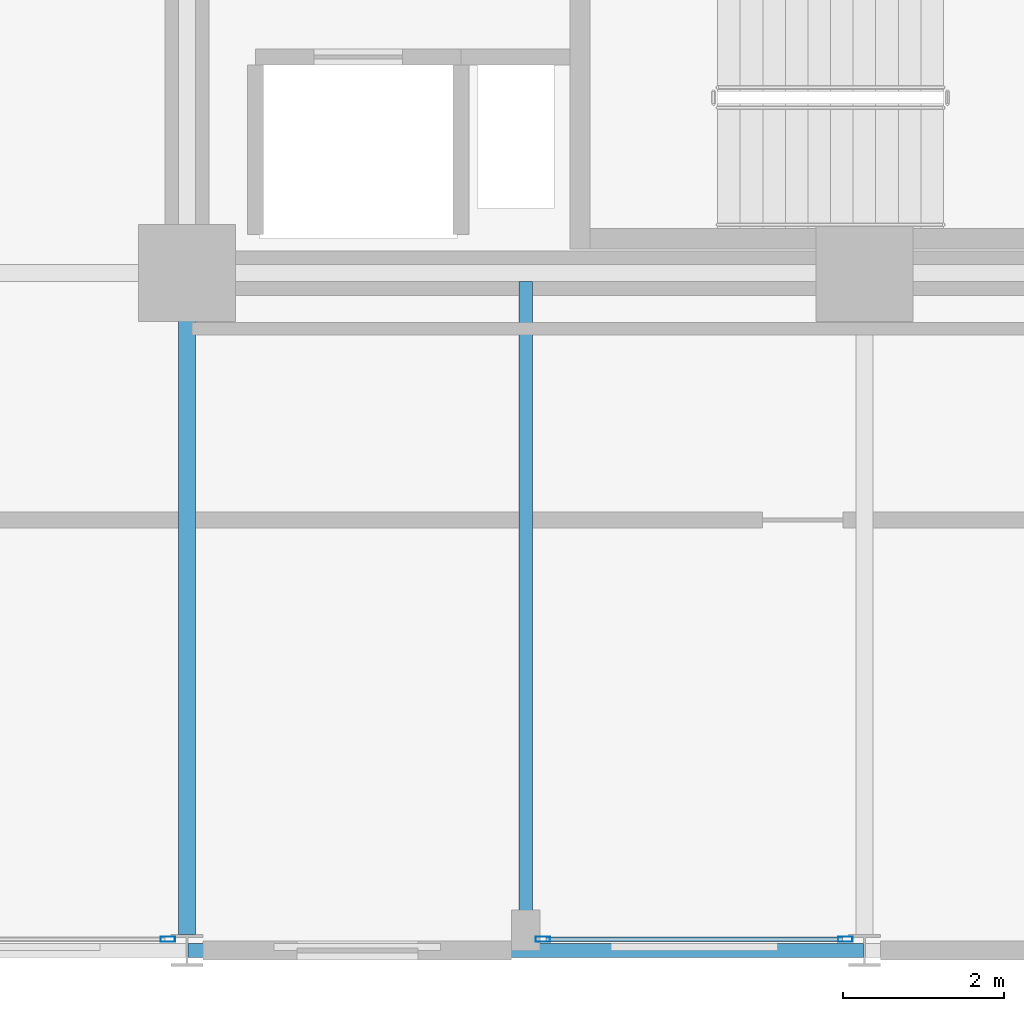
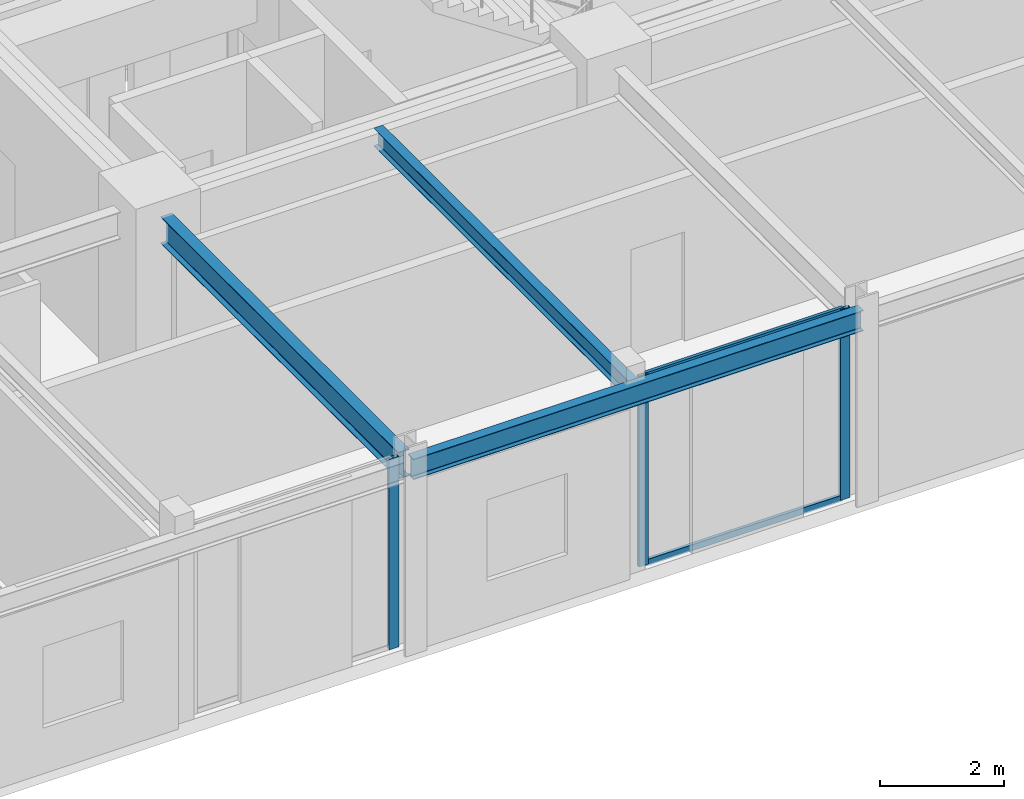
# One storey, part 6 of 29: 5 members, 3 beams, 2 elements without a shape of their own.
"""IFC4 building model written with IfcOpenShell, lengths in metres."""

from ifc_helpers import new_model, si_unit, direction, frame, origin, origin_2d, place, context, subcontext, project, spatial, hollow_rectangle, i_section, extrude, material, layer, layer_set, material_profile, profile_set, type_object, element, aggregate, save


model = new_model("IFC4")

# Units and contexts
model_context = context("Model", 3, precision=1e-05, world=origin(), true_north=direction((0.0, 1.0)))
body_context = subcontext(model_context, "Body", "Model", "MODEL_VIEW")
ifc_project = project(units=[si_unit("LENGTHUNIT", "METRE"), si_unit("AREAUNIT", "SQUARE_METRE"), si_unit("VOLUMEUNIT", "CUBIC_METRE"), si_unit("PLANEANGLEUNIT", "RADIAN"), si_unit("MASSUNIT", "GRAM", prefix="KILO")], contexts=[model_context])

# Site, building, storey
site_placement = place(None, origin())
site = spatial("IfcSite", under=ifc_project, at=site_placement, CompositionType="ELEMENT")
building_placement = place(site_placement, origin())
building = spatial("IfcBuilding", under=site, at=building_placement, Name="Nerrivon Quay Data Exchange", CompositionType="ELEMENT")
storey_placement = place(building_placement, frame((0.0, 0.0, 158.199951171875)))
storey = spatial("IfcBuildingStorey", under=building, at=storey_placement, Name="L37", CompositionType="ELEMENT", Elevation=158.199951171875)

# Beams
ifc_material_1 = material(Name="Steel Grade 350", Category="steel")
ifc_material_profile_1 = material_profile(ifc_material_1, i_section(OverallWidth=0.208984375, OverallDepth=0.528076171875, WebThickness=0.009521484375, FlangeThickness=0.01318359375, FilletRadius=0.013916015625, at=origin_2d()), Name="530UB82.0")
ifc_profile_set_1 = profile_set([ifc_material_profile_1], Name="Steel Grade 350")
beam_type_1 = type_object("IfcBeamType", Name="BM-G4-530UB82", PredefinedType="BEAM", material=ifc_profile_set_1)
beam_1_placement = place(storey_placement, frame((16.800048828125, 0.199951171875, 3.486083984375), z_axis=(0.0, 1.0, 0.0), x_axis=(-1.0, 0.0, 0.0)))
element("IfcBeam", 1, at=beam_1_placement, inside=storey, type_object=beam_type_1, Name="L37 NS Girder X=16.8 (0.0..8.4)", PredefinedType="BEAM", context=body_context, shape_type="SweptSolid", body=[
    extrude(i_section(OverallWidth=0.208984375, OverallDepth=0.528076171875, WebThickness=0.009521484375, FlangeThickness=0.01318359375, FilletRadius=0.013916015625, at=origin_2d()), origin(), (0.0, 0.0, 1.0), 7.66015625),
])
ifc_material_profile_2 = material_profile(ifc_material_1, i_section(OverallWidth=0.1708984375, OverallDepth=0.35595703125, WebThickness=0.00732421875, FlangeThickness=0.011474609375, FilletRadius=0.011474609375, at=origin_2d()), Name="360UB50.7")
ifc_profile_set_2 = profile_set([ifc_material_profile_2], Name="Steel Grade 350")
beam_type_2 = type_object("IfcBeamType", Name="BM-J4-360UB51", PredefinedType="JOIST", material=ifc_profile_set_2)
beam_2_placement = place(storey_placement, frame((21.0, 0.089111328125, 3.572021484375), z_axis=(0.0, 1.0, 0.0), x_axis=(-1.0, 0.0, 0.0)))
element("IfcBeam", 2, at=beam_2_placement, inside=storey, type_object=beam_type_2, Name="L37 Secondary Joist X=21.0 (0.0..8.4)", PredefinedType="JOIST", context=body_context, shape_type="SweptSolid", body=[
    extrude(i_section(OverallWidth=0.1708984375, OverallDepth=0.35595703125, WebThickness=0.00732421875, FlangeThickness=0.011474609375, FilletRadius=0.011474609375, at=origin_2d()), origin(), (0.0, 0.0, 1.0), 8.206298828125),
])
ifc_material_profile_3 = material_profile(ifc_material_1, i_section(OverallWidth=0.177978515625, OverallDepth=0.403076171875, WebThickness=0.007568359375, FlangeThickness=0.010986328125, FilletRadius=0.011474609375, at=origin_2d()), Name="410UB53.7")
ifc_profile_set_3 = profile_set([ifc_material_profile_3], Name="Steel Grade 350")
beam_type_3 = type_object("IfcBeamType", Name="BM-SP2-410UB54", PredefinedType="SPANDREL", material=ifc_profile_set_3)
beam_3_placement = place(storey_placement, frame((16.8125, 0.0, 3.548583984375), z_axis=(1.0, 0.0, 0.0), x_axis=(0.0, 1.0, 0.0)))
element("IfcBeam", 3, at=beam_3_placement, inside=storey, type_object=beam_type_3, Name="L37 EW Girder Y=0.0 (16.8..25.2)", PredefinedType="SPANDREL", context=body_context, shape_type="SweptSolid", body=[
    extrude(i_section(OverallWidth=0.177978515625, OverallDepth=0.403076171875, WebThickness=0.007568359375, FlangeThickness=0.010986328125, FilletRadius=0.011474609375, at=origin_2d()), origin(), (0.0, 0.0, 1.0), 8.375),
])

# Curtain wall, members
ifc_material_2 = material(Name="Anodised aluminium 6063-T6", Category="aluminium")
ifc_layer = layer(ifc_material_2, 0.2099609375)
ifc_layer_set = layer_set([ifc_layer], Name="Anodised aluminium 6063-T6")
curtain_wall_type = type_object("IfcCurtainWallType", Name="CW-SYS-02", PredefinedType="NOTDEFINED", material=ifc_layer_set)
curtain_wall_1_placement = place(storey_placement, origin())
curtain_wall_1 = element("IfcCurtainWall", 4, at=curtain_wall_1_placement, inside=storey, type_object=curtain_wall_type, Name="L37 Unitised Curtain Wall 4", PredefinedType="NOTDEFINED")
ifc_material_profile_4 = material_profile(ifc_material_2, hollow_rectangle(XDim=0.06494140625, YDim=0.179931640625, WallThickness=0.00341796875, at=origin_2d()), Name="ALU-MULL-180x65")
ifc_profile_set_4 = profile_set([ifc_material_profile_4], Name="Anodised aluminium 6063-T6")
member_type_1 = type_object("IfcMemberType", Name="CWM-180x65", PredefinedType="MULLION", material=ifc_profile_set_4)
member_1_placement = place(storey_placement, frame((24.96240234375, 0.139892578125, 0.0), z_axis=(0.0, 0.0, 1.0), x_axis=(0.0, -1.0, 0.0)))
member_1 = element("IfcMember", 5, at=member_1_placement, type_object=member_type_1, Name="CW02 mullion 1", PredefinedType="MULLION", context=body_context, shape_type="SweptSolid", body=[
    extrude(hollow_rectangle(XDim=0.06494140625, YDim=0.179931640625, WallThickness=0.00341796875, at=origin_2d()), origin(), (0.0, 0.0, 1.0), 3.75),
])
member_2_placement = place(storey_placement, frame((21.21240234375, 0.139892578125, 0.0), z_axis=(0.0, 0.0, 1.0), x_axis=(0.0, -1.0, 0.0)))
member_2 = element("IfcMember", 6, at=member_2_placement, type_object=member_type_1, Name="CW02 mullion 2", PredefinedType="MULLION", context=body_context, shape_type="SweptSolid", body=[
    extrude(hollow_rectangle(XDim=0.06494140625, YDim=0.179931640625, WallThickness=0.00341796875, at=origin_2d()), origin(), (0.0, 0.0, 1.0), 3.75),
])

# Curtain wall, member
curtain_wall_2_placement = place(storey_placement, origin())
curtain_wall_2 = element("IfcCurtainWall", 7, at=curtain_wall_2_placement, inside=storey, type_object=curtain_wall_type, Name="L37 Unitised Curtain Wall 6", PredefinedType="NOTDEFINED")
member_3_placement = place(storey_placement, frame((16.5625, 0.139892578125, 0.0), z_axis=(0.0, 0.0, 1.0), x_axis=(0.0, -1.0, 0.0)))
member_3 = element("IfcMember", 8, at=member_3_placement, type_object=member_type_1, Name="CW02 mullion 1", PredefinedType="MULLION", context=body_context, shape_type="SweptSolid", body=[
    extrude(hollow_rectangle(XDim=0.06494140625, YDim=0.179931640625, WallThickness=0.00341796875, at=origin_2d()), origin(), (0.0, 0.0, 1.0), 3.75),
])
aggregate(curtain_wall_2, [member_3])

# Member
ifc_material_profile_5 = material_profile(ifc_material_2, hollow_rectangle(XDim=0.06005859375, YDim=0.1201171875, WallThickness=0.003173828125, at=origin_2d()), Name="ALU-TRAN-120x60")
ifc_profile_set_5 = profile_set([ifc_material_profile_5], Name="Anodised aluminium 6063-T6")
member_type_2 = type_object("IfcMemberType", Name="CWT-120x60", PredefinedType="USERDEFINED", material=ifc_profile_set_5)
member_4_placement = place(storey_placement, frame((24.925048828125, 0.139892578125, 0.032470703125), z_axis=(-1.0, 0.0, 0.0), x_axis=(0.0, -1.0, 0.0)))
member_4 = element("IfcMember", 9, at=member_4_placement, type_object=member_type_2, Name="CW02 transom 1.1", ObjectType="TRANSOM", PredefinedType="USERDEFINED", context=body_context, shape_type="SweptSolid", body=[
    extrude(hollow_rectangle(XDim=0.06005859375, YDim=0.1201171875, WallThickness=0.003173828125, at=origin_2d()), origin(), (0.0, 0.0, 1.0), 3.675048828125),
])

member_5_placement = place(storey_placement, frame((24.925048828125, 0.139892578125, 3.717529296875), z_axis=(-1.0, 0.0, 0.0), x_axis=(0.0, -1.0, 0.0)))
member_5 = element("IfcMember", 10, at=member_5_placement, type_object=member_type_2, Name="CW02 transom 1.2", ObjectType="TRANSOM", PredefinedType="USERDEFINED", context=body_context, shape_type="SweptSolid", body=[
    extrude(hollow_rectangle(XDim=0.06005859375, YDim=0.1201171875, WallThickness=0.003173828125, at=origin_2d()), origin(), (0.0, 0.0, 1.0), 3.675048828125),
])

aggregate(curtain_wall_1, [member_1, member_2, member_4, member_5])

save(model, "model.ifc")
